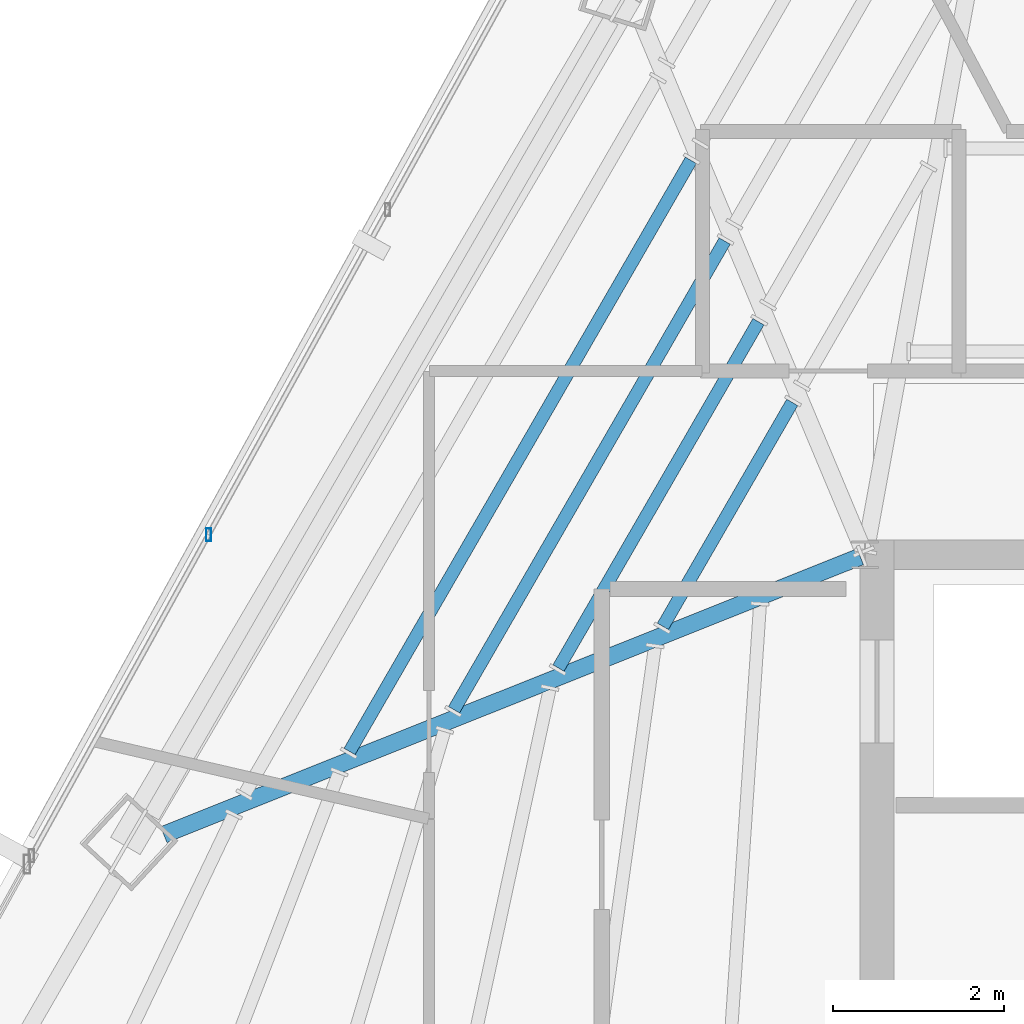
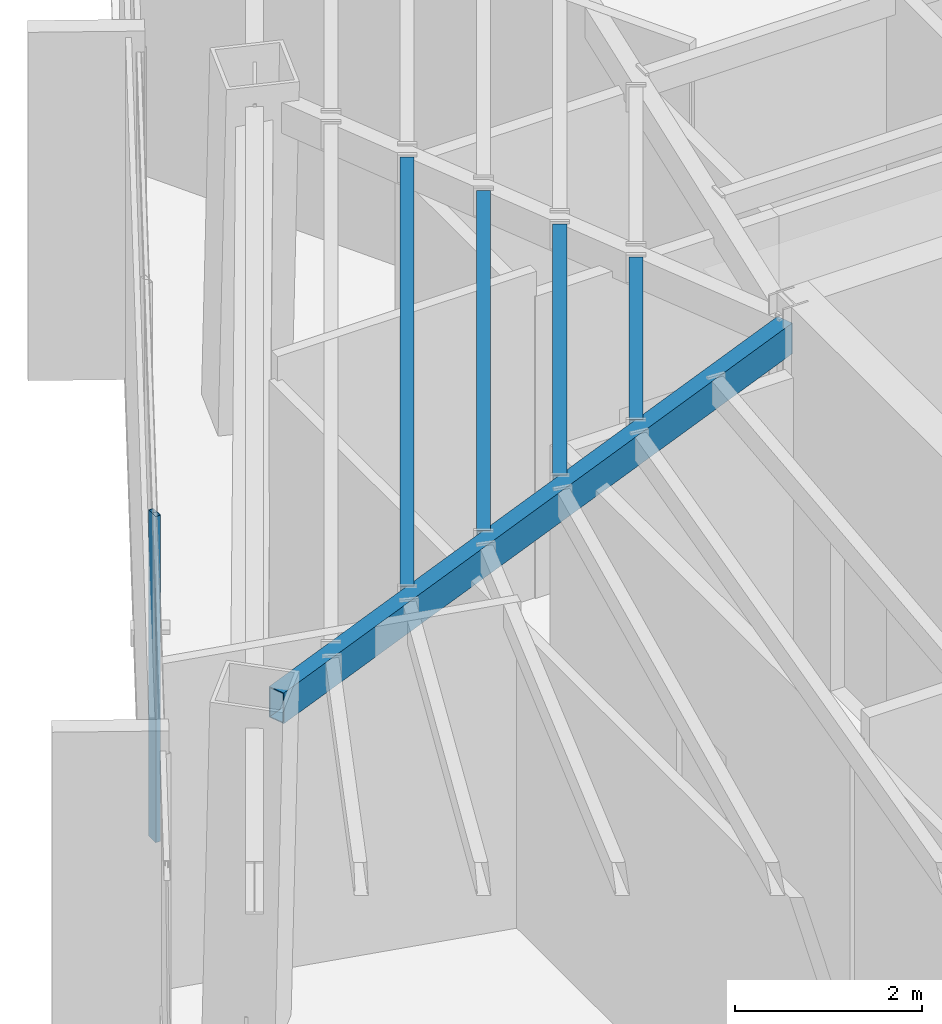
# One storey, part 13 of 37: 5 beams, 1 member, 1 element without a shape of its own.
"""IFC4 building model written with IfcOpenShell, lengths in metres."""

from ifc_helpers import new_model, si_unit, direction, frame, origin, origin_2d, place, context, subcontext, project, spatial, hollow_rectangle, extrude, source, transform, mapped, material, material_profile, profile_set, type_object, type_shapes, element, aggregate, save


model = new_model("IFC4")

# Units and contexts
model_context = context("Model", 3, precision=1e-05, world=origin(), true_north=direction((0.0, 1.0)))
body_context = subcontext(model_context, "Body", "Model", "MODEL_VIEW")
ifc_project = project(units=[si_unit("LENGTHUNIT", "METRE"), si_unit("AREAUNIT", "SQUARE_METRE"), si_unit("VOLUMEUNIT", "CUBIC_METRE"), si_unit("PLANEANGLEUNIT", "RADIAN"), si_unit("MASSUNIT", "GRAM", prefix="KILO")], contexts=[model_context])

# Site, building, storey
site_placement = place(None, origin())
site = spatial("IfcSite", under=ifc_project, at=site_placement, CompositionType="ELEMENT")
building_placement = place(site_placement, origin())
building = spatial("IfcBuilding", under=site, at=building_placement, Name="Caelisora Broadcast Tower", CompositionType="ELEMENT")
storey_placement = place(building_placement, frame((0.0, 0.0, 225.35009765625)))
storey = spatial("IfcBuildingStorey", under=building, at=storey_placement, Name="L59", CompositionType="ELEMENT", Elevation=225.35009765625)

# Beams
ifc_material_1 = material(Name="Steel Grade 350 (AS/NZS 1163 C350L0)", Category="steel")
ifc_material_profile_1 = material_profile(ifc_material_1, hollow_rectangle(XDim=0.199951171875, YDim=0.39990234375, WallThickness=0.012451171875, at=origin_2d()), Name="Steel Grade 350 (AS/NZS 1163 C350L0)")
ifc_profile_set_1 = profile_set([ifc_material_profile_1], Name="Steel Grade 350 (AS/NZS 1163 C350L0)")
beam_type_1 = type_object("IfcBeamType", Name="PG07", PredefinedType="BEAM", material=ifc_profile_set_1)
shared_shape_1 = source(origin(), body_context, "Body", "SweptSolid", [
    extrude(hollow_rectangle(XDim=0.199951171875, YDim=0.39990234375, WallThickness=0.012451171875, at=origin_2d()), origin(), (0.0, 0.0, 1.0), 8.771240234375),
])
type_shapes(beam_type_1, [shared_shape_1])
beam_1_placement = place(storey_placement, frame((30.4443359375, 29.977783203125, 4.0498046875), z_axis=(-0.928743275525, -0.370723519846, 0.0), x_axis=(0.370723519846, -0.928743275525, 0.0)))
element("IfcBeam", 1, at=beam_1_placement, inside=storey, type_object=beam_type_1, Name="L59 beam PG07", PredefinedType="BEAM", context=body_context, shape_type="MappedRepresentation", body=[
    mapped(shared_shape_1, transform((0.0, 0.0, 0.0), scale=1.0)),
])
ifc_material_profile_2 = material_profile(ifc_material_1, hollow_rectangle(XDim=0.14990234375, YDim=0.300048828125, WallThickness=0.010009765625, at=origin_2d()), Name="Steel Grade 350 (AS/NZS 1163 C350L0)")
ifc_profile_set_2 = profile_set([ifc_material_profile_2], Name="Steel Grade 350 (AS/NZS 1163 C350L0)")
beam_type_2 = type_object("IfcBeamType", Name="SB05", PredefinedType="JOIST", material=ifc_profile_set_2)
shared_shape_2 = source(origin(), body_context, "Body", "SweptSolid", [
    extrude(hollow_rectangle(XDim=0.14990234375, YDim=0.300048828125, WallThickness=0.010009765625, at=origin_2d()), origin(), (0.0, 0.0, 1.0), 3.024658203125),
])
beam_2_placement = place(storey_placement, frame((29.6484375, 31.781494140625, 4.099853515625), z_axis=(-0.500036864363, -0.866004119088, 0.0), x_axis=(0.866004119088, -0.500036864363, 0.0)))
element("IfcBeam", 2, at=beam_2_placement, inside=storey, type_object=beam_type_2, Name="L59 beam SB05", PredefinedType="JOIST", context=body_context, shape_type="MappedRepresentation", body=[
    mapped(shared_shape_2, transform((0.0, 0.0, 0.0), scale=1.0)),
])
shared_shape_3 = source(origin(), body_context, "Body", "SweptSolid", [
    extrude(hollow_rectangle(XDim=0.14990234375, YDim=0.300048828125, WallThickness=0.010009765625, at=origin_2d()), origin(), (0.0, 0.0, 1.0), 4.677490234375),
])
beam_3_placement = place(storey_placement, frame((29.25341796875, 32.725341796875, 4.099853515625), z_axis=(-0.500023656998, -0.86601174498, 0.0), x_axis=(0.86601174498, -0.500023656998, 0.0)))
element("IfcBeam", 3, at=beam_3_placement, inside=storey, type_object=beam_type_2, Name="L59 beam SB05", PredefinedType="JOIST", context=body_context, shape_type="MappedRepresentation", body=[
    mapped(shared_shape_3, transform((0.0, 0.0, 0.0), scale=1.0)),
])
shared_shape_4 = source(origin(), body_context, "Body", "SweptSolid", [
    extrude(hollow_rectangle(XDim=0.14990234375, YDim=0.300048828125, WallThickness=0.010009765625, at=origin_2d()), origin(), (0.0, 0.0, 1.0), 6.330322265625),
])
beam_4_placement = place(storey_placement, frame((28.8583984375, 33.669189453125, 4.099853515625), z_axis=(-0.500017346395, -0.866015388607, 0.0), x_axis=(0.866015388607, -0.500017346395, 0.0)))
element("IfcBeam", 4, at=beam_4_placement, inside=storey, type_object=beam_type_2, Name="L59 beam SB05", PredefinedType="JOIST", context=body_context, shape_type="MappedRepresentation", body=[
    mapped(shared_shape_4, transform((0.0, 0.0, 0.0), scale=1.0)),
])
shared_shape_5 = source(origin(), body_context, "Body", "SweptSolid", [
    extrude(hollow_rectangle(XDim=0.14990234375, YDim=0.300048828125, WallThickness=0.010009765625, at=origin_2d()), origin(), (0.0, 0.0, 1.0), 7.983642578125),
])
type_shapes(beam_type_2, [shared_shape_2, shared_shape_3, shared_shape_4, shared_shape_5])
beam_5_placement = place(storey_placement, frame((28.463134765625, 34.61328125, 4.099853515625), z_axis=(-0.499987164874, -0.866032814021, 0.0), x_axis=(0.866032814021, -0.499987164874, 0.0)))
element("IfcBeam", 5, at=beam_5_placement, inside=storey, type_object=beam_type_2, Name="L59 beam SB05", PredefinedType="JOIST", context=body_context, shape_type="MappedRepresentation", body=[
    mapped(shared_shape_5, transform((0.0, 0.0, 0.0), scale=1.0)),
])

# Curtain wall, member
ifc_material_2 = material(Name="Unitised Aluminium Insulated Shadow-Box Spandrel Curtain Wall", Category="aluminium")
curtain_wall_type = type_object("IfcCurtainWallType", Name="CW-SP2", PredefinedType="NOTDEFINED", material=ifc_material_2)
curtain_wall_placement = place(storey_placement, origin())
curtain_wall = element("IfcCurtainWall", 6, at=curtain_wall_placement, inside=storey, type_object=curtain_wall_type, Name="L59 curtain wall CW-SP2", PredefinedType="NOTDEFINED")
ifc_material_3 = material(Name="Aluminium 6063-T6 Anodised Terracotta Bronze", Category="aluminium")
ifc_material_profile_3 = material_profile(ifc_material_3, hollow_rectangle(XDim=0.06005859375, YDim=0.14990234375, WallThickness=0.00341796875, at=origin_2d()), Name="Aluminium 6063-T6 Anodised Terracotta Bronze")
ifc_profile_set_3 = profile_set([ifc_material_profile_3], Name="Aluminium 6063-T6 Anodised Terracotta Bronze")
member_type = type_object("IfcMemberType", Name="CWM-03", PredefinedType="MULLION", material=ifc_profile_set_3)
shared_shape_6 = source(origin(), body_context, "Body", "SweptSolid", [
    extrude(hollow_rectangle(XDim=0.06005859375, YDim=0.14990234375, WallThickness=0.00341796875, at=origin_2d()), origin(), (0.0, 0.0, 1.0), 4.25),
])
type_shapes(member_type, [shared_shape_6])
member_placement = place(storey_placement, frame((22.822509765625, 30.234619140625, 0.0), z_axis=(0.0, 0.0, 1.0), x_axis=(1.0, 0.0, 0.0)))
member = element("IfcMember", 7, at=member_placement, type_object=member_type, Name="L59-CW-B10 mullion #1", PredefinedType="MULLION", context=body_context, shape_type="MappedRepresentation", body=[
    mapped(shared_shape_6, transform((0.0, 0.0, 0.0), scale=1.0)),
])
aggregate(curtain_wall, [member])

save(model, "model.ifc")
